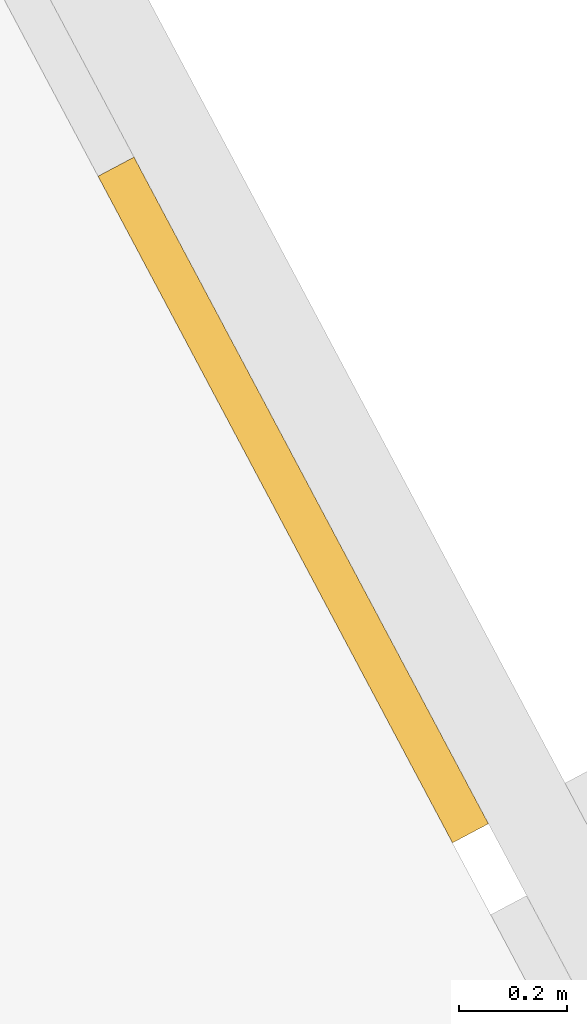
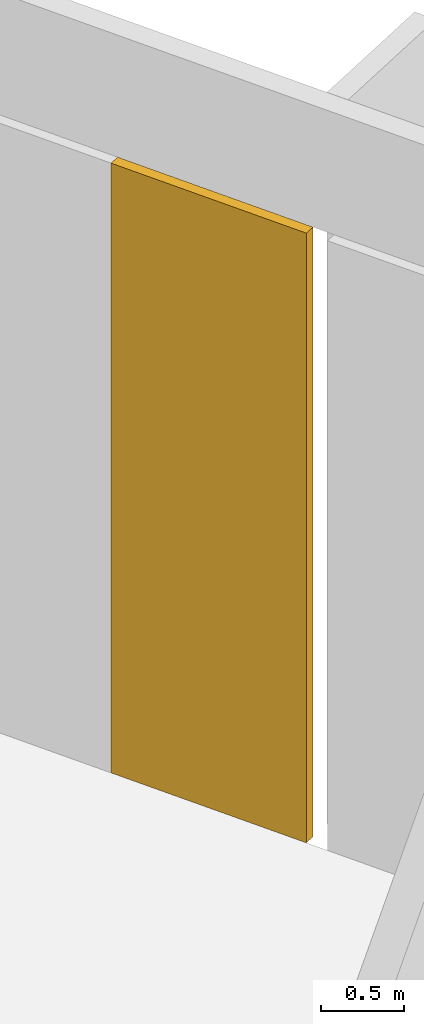
# One storey, part 32 of 32: 1 covering, 1 element without a shape of its own.
"""IFC4 building model written with IfcOpenShell, lengths in metres."""

from ifc_helpers import new_model, si_unit, direction, frame, origin, origin_2d, place, context, subcontext, project, spatial, rectangle, extrude, material, layer, layer_set, type_object, element, aggregate, save


model = new_model("IFC4")

# Units and contexts
model_context = context("Model", 3, precision=1e-05, world=origin(), true_north=direction((0.0, 1.0)))
body_context = subcontext(model_context, "Body", "Model", "MODEL_VIEW")
ifc_project = project(units=[si_unit("LENGTHUNIT", "METRE"), si_unit("AREAUNIT", "SQUARE_METRE"), si_unit("VOLUMEUNIT", "CUBIC_METRE"), si_unit("PLANEANGLEUNIT", "RADIAN"), si_unit("MASSUNIT", "GRAM", prefix="KILO")], contexts=[model_context])

# Site, building, storey
site_placement = place(None, origin())
site = spatial("IfcSite", under=ifc_project, at=site_placement, CompositionType="ELEMENT")
building_placement = place(site_placement, origin())
building = spatial("IfcBuilding", under=site, at=building_placement, Name="Cormorant Relay Tower", CompositionType="ELEMENT")
storey_placement = place(building_placement, frame((0.0, 0.0, 39.199951171875)))
storey = spatial("IfcBuildingStorey", under=building, at=storey_placement, Name="L07", CompositionType="ELEMENT", Elevation=39.199951171875)

# Curtain wall, covering
ifc_material_1 = material(Name="Aluminium 6063-T6 anodised bronze", Category="aluminium")
ifc_layer_1 = layer(ifc_material_1, 0.235107421875)
ifc_layer_set_1 = layer_set([ifc_layer_1], Name="CW6 data hall curtain wall with mineral wool panels")
curtain_wall_type = type_object("IfcCurtainWallType", Name="CW6 data hall curtain wall with mineral wool panels", PredefinedType="NOTDEFINED", material=ifc_layer_set_1)
curtain_wall_placement = place(storey_placement, origin())
curtain_wall = element("IfcCurtainWall", 1, at=curtain_wall_placement, inside=storey, type_object=curtain_wall_type, Name="CW6 curtain wall 4", PredefinedType="NOTDEFINED")
ifc_material_2 = material(Name="Mineral wool cored anodised bronze aluminium cassette panel", Category="aluminium")
ifc_layer_2 = layer(ifc_material_2, 0.074951171875)
ifc_layer_set_2 = layer_set([ifc_layer_2], Name="CW6 mineral wool cassette panel 75")
covering_type = type_object("IfcCoveringType", Name="CW6 mineral wool cassette panel 75", PredefinedType="CLADDING", material=ifc_layer_set_2)
covering_placement = place(storey_placement, frame((66.86474609375, 27.689453125, 0.0), z_axis=(0.0, 0.0, 1.0), x_axis=(-0.469471562786, 0.882947592859, 0.0)))
covering = element("IfcCovering", 2, at=covering_placement, type_object=covering_type, Name="CW6 panel S01", PredefinedType="CLADDING", context=body_context, shape_type="SweptSolid", body=[
    extrude(rectangle(XDim=1.392822265625, YDim=0.074951171875, at=origin_2d()), origin(), (0.0, 0.0, 1.0), 4.5),
])
aggregate(curtain_wall, [covering])

save(model, "model.ifc")
